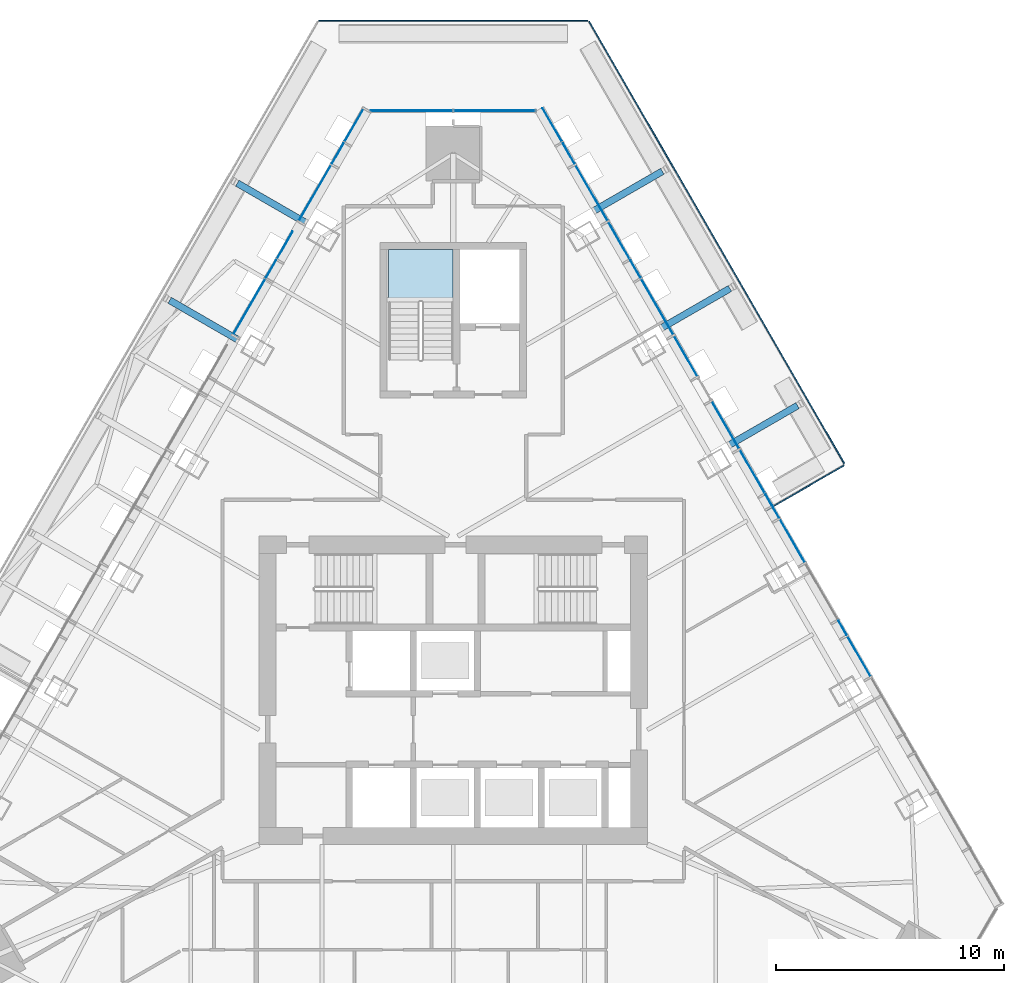
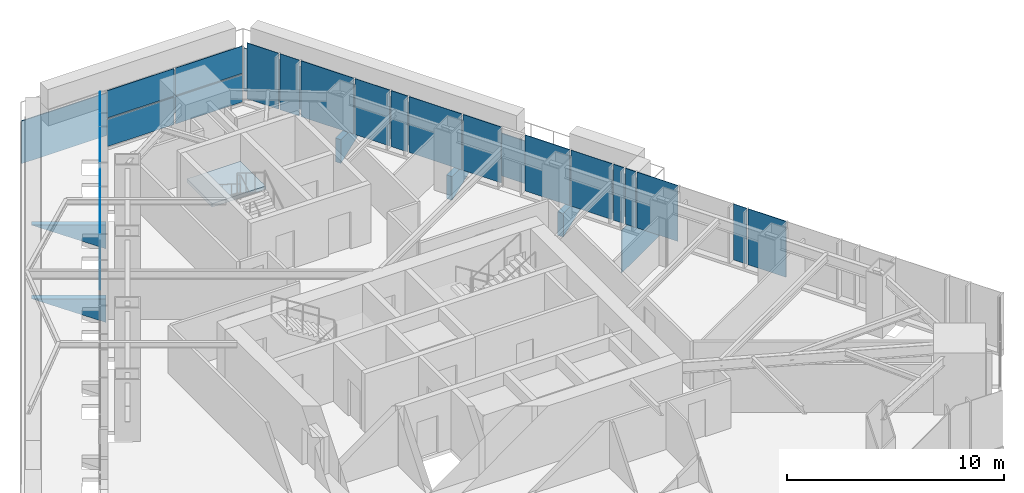
# One storey, part 9 of 16: 32 plates, 1 slab, 4 elements without a shape of their own.
"""IFC4 building model written with IfcOpenShell, lengths in metres."""

from ifc_helpers import new_model, si_unit, direction, frame, origin, place, context, subcontext, project, spatial, polyline, outline, extrude, material, layer, layer_set, type_object, element, aggregate, save


model = new_model("IFC4")

# Units and contexts
model_context = context("Model", 3, precision=1e-05, world=origin(), true_north=direction((0.0, 1.0)))
body_context = subcontext(model_context, "Body", "Model", "MODEL_VIEW")
ifc_project = project(units=[si_unit("LENGTHUNIT", "METRE"), si_unit("AREAUNIT", "SQUARE_METRE"), si_unit("VOLUMEUNIT", "CUBIC_METRE"), si_unit("PLANEANGLEUNIT", "RADIAN"), si_unit("MASSUNIT", "GRAM", prefix="KILO")], contexts=[model_context])

# Site, building, storey
site_placement = place(None, origin())
site = spatial("IfcSite", under=ifc_project, at=site_placement, CompositionType="ELEMENT")
building_placement = place(site_placement, origin())
building = spatial("IfcBuilding", under=site, at=building_placement, Name="Firuza Gate Tower and Library", CompositionType="ELEMENT")
storey_placement = place(building_placement, frame((0.0, 0.0, 319.60009765625)))
storey = spatial("IfcBuildingStorey", under=building, at=storey_placement, Name="L78", CompositionType="ELEMENT", Elevation=319.60009765625)

# Curtain wall, plates
ifc_material_1 = material(Name="Aluminium 6063-T6", Category="aluminium")
ifc_layer_1 = layer(ifc_material_1, 0.14990234375)
ifc_layer_set_1 = layer_set([ifc_layer_1], Name="Corner curtain wall, chamfers")
curtain_wall_type_1 = type_object("IfcCurtainWallType", Name="Corner curtain wall, chamfers", PredefinedType="NOTDEFINED", material=ifc_layer_set_1)
placement = place(storey_placement, origin())
curtain_wall_1 = element("IfcCurtainWall", 1, at=placement, inside=storey, type_object=curtain_wall_type_1, Name="CW4 L78 N corner", PredefinedType="NOTDEFINED")
ifc_material_2 = material(Name="Fritted glass", Category="glass")
ifc_layer_2 = layer(ifc_material_2, 0.030029296875)
ifc_layer_set_2 = layer_set([ifc_layer_2], Name="Fritted glass unit, corners")
plate_type_1 = type_object("IfcPlateType", Name="Fritted glass unit, corners", PredefinedType="CURTAIN_PANEL", material=ifc_layer_set_2)
plate_1_placement = place(storey_placement, frame((78.603271484375, 100.382568359375, 0.14990234375), z_axis=(0.0, 1.0, 0.0), x_axis=(-1.0, 0.0, 0.0)))
plate_1 = element("IfcPlate", 2, at=plate_1_placement, type_object=plate_type_1, Name="Glass unit", PredefinedType="CURTAIN_PANEL", context=body_context, shape_type="SweptSolid", body=[
    extrude(outline(polyline([(0.0, 0.0), (3.563232421875, 0.0), (3.563232421875, 1.534912109375), (0.0, 1.534912109375), (0.0, 0.0)])), origin(), (0.0, 0.0, -1.0), 0.030029296875),
])
plate_2_placement = place(storey_placement, frame((74.9599609375, 100.382568359375, 0.14990234375), z_axis=(0.0, 1.0, 0.0), x_axis=(-1.0, 0.0, 0.0)))
plate_2 = element("IfcPlate", 3, at=plate_2_placement, type_object=plate_type_1, Name="Glass unit", PredefinedType="CURTAIN_PANEL", context=body_context, shape_type="SweptSolid", body=[
    extrude(outline(polyline([(0.0, 0.0), (3.563232421875, 0.0), (3.563232421875, 1.534912109375), (0.0, 1.534912109375), (0.0, 0.0)])), origin(), (0.0, 0.0, -1.0), 0.030029296875),
])

ifc_material_3 = material(Name="Aluminium 6063-T6", Category="aluminium")
ifc_layer_3 = layer(ifc_material_3, 0.14990234375)
ifc_layer_set_3 = layer_set([ifc_layer_3], Name="Unitised curtain wall, residences")
curtain_wall_type_2 = type_object("IfcCurtainWallType", Name="Unitised curtain wall, residences", PredefinedType="NOTDEFINED", material=ifc_layer_set_3)
curtain_wall_2 = element("IfcCurtainWall", 4, at=placement, inside=storey, type_object=curtain_wall_type_2, Name="CW3 L78 E face", PredefinedType="NOTDEFINED")
ifc_material_4 = material(Name="Fritted glass", Category="glass")
ifc_layer_4 = layer(ifc_material_4, 0.030029296875)
ifc_layer_set_4 = layer_set([ifc_layer_4], Name="Fritted glass unit, residences")
plate_type_2 = type_object("IfcPlateType", Name="Fritted glass unit, residences", PredefinedType="CURTAIN_PANEL", material=ifc_layer_set_4)
plate_3_placement = place(storey_placement, frame((92.2333984375, 77.43896484375, 0.14990234375), z_axis=(0.866070766281, 0.499921421619, 0.0), x_axis=(-0.499921421619, 0.866070766281, 0.0)))
plate_3 = element("IfcPlate", 5, at=plate_3_placement, type_object=plate_type_2, Name="Glass unit", PredefinedType="CURTAIN_PANEL", context=body_context, shape_type="SweptSolid", body=[
    extrude(outline(polyline([(0.0, 0.0), (0.7081190982044061, 0.0), (0.7081190982044061, 3.14990234375), (0.0, 3.14990234375), (0.0, 0.0)])), origin(), (0.0, 0.0, -1.0), 0.030029296875),
])
plate_4_placement = place(storey_placement, frame((89.273193359375, 82.56591796875, 0.14990234375), z_axis=(0.865998869808, 0.500045955379, 0.0), x_axis=(-0.500045955379, 0.865998869808, 0.0)))
plate_4 = element("IfcPlate", 6, at=plate_4_placement, type_object=plate_type_2, Name="Glass unit", PredefinedType="CURTAIN_PANEL", context=body_context, shape_type="SweptSolid", body=[
    extrude(outline(polyline([(0.0, 0.0), (0.5443835590447377, 0.0), (0.5443835590447377, 3.14990234375), (0.0, 3.14990234375), (0.0, 0.0)])), origin(), (0.0, 0.0, -1.0), 0.030029296875),
])
plate_5_placement = place(storey_placement, frame((88.961181640625, 83.106689453125, 0.14990234375), z_axis=(0.865998869808, 0.500045955379, 0.0), x_axis=(-0.500045955379, 0.865998869808, 0.0)))
plate_5 = element("IfcPlate", 7, at=plate_5_placement, type_object=plate_type_2, Name="Glass unit", PredefinedType="CURTAIN_PANEL", context=body_context, shape_type="SweptSolid", body=[
    extrude(outline(polyline([(0.0, 0.0), (0.5443835590447377, 0.0), (0.5443835590447377, 3.14990234375), (0.0, 3.14990234375), (0.0, 0.0)])), origin(), (0.0, 0.0, -1.0), 0.030029296875),
])
plate_6_placement = place(storey_placement, frame((83.204833984375, 93.076904296875, 0.14990234375), z_axis=(0.865924374975, 0.500174946218, 0.0), x_axis=(-0.500174946218, 0.865924374975, 0.0)))
plate_6 = element("IfcPlate", 8, at=plate_6_placement, type_object=plate_type_2, Name="Glass unit", PredefinedType="CURTAIN_PANEL", context=body_context, shape_type="SweptSolid", body=[
    extrude(outline(polyline([(0.0, 0.0), (0.8717652884199234, 0.0), (0.8717652884199234, 3.14990234375), (0.0, 3.14990234375), (0.0, 0.0)])), origin(), (0.0, 0.0, -1.0), 0.030029296875),
])
plate_7_placement = place(storey_placement, frame((80.326416015625, 98.06201171875, 0.14990234375), z_axis=(0.866087429067, 0.499892553668, 0.0), x_axis=(-0.499892553668, 0.866087429067, 0.0)))
plate_7 = element("IfcPlate", 9, at=plate_7_placement, type_object=plate_type_2, Name="Glass unit", PredefinedType="CURTAIN_PANEL", context=body_context, shape_type="SweptSolid", body=[
    extrude(outline(polyline([(0.0, 0.0), (1.0353787452973582, 0.0), (1.0353787452973582, 3.14990234375), (0.0, 3.14990234375), (0.0, 0.0)])), origin(), (0.0, 0.0, -1.0), 0.030029296875),
])

curtain_wall_3 = element("IfcCurtainWall", 10, at=placement, inside=storey, type_object=curtain_wall_type_2, Name="CW3 L78 W face", PredefinedType="NOTDEFINED")
plate_8_placement = place(storey_placement, frame((70.191162109375, 98.958740234375, 0.14990234375), z_axis=(-0.866087429067, 0.499892553668, 0.0), x_axis=(-0.499892553668, -0.866087429067, 0.0)))
plate_8 = element("IfcPlate", 11, at=plate_8_placement, type_object=plate_type_2, Name="Glass unit", PredefinedType="CURTAIN_PANEL", context=body_context, shape_type="SweptSolid", body=[
    extrude(outline(polyline([(0.0, 0.0), (1.0353787452973582, 0.0), (1.0353787452973582, 3.14990234375), (0.0, 3.14990234375), (0.0, 0.0)])), origin(), (0.0, 0.0, -1.0), 0.030029296875),
])
plate_9_placement = place(storey_placement, frame((67.231201171875, 93.831787109375, 0.14990234375), z_axis=(-0.865924374975, 0.500174946218, 0.0), x_axis=(-0.500174946218, -0.865924374975, 0.0)))
plate_9 = element("IfcPlate", 12, at=plate_9_placement, type_object=plate_type_2, Name="Glass unit", PredefinedType="CURTAIN_PANEL", context=body_context, shape_type="SweptSolid", body=[
    extrude(outline(polyline([(0.0, 0.0), (0.8717652884199234, 0.0), (0.8717652884199234, 3.14990234375), (0.0, 3.14990234375), (0.0, 0.0)])), origin(), (0.0, 0.0, -1.0), 0.030029296875),
])

# Plate
ifc_material_5 = material(Name="Glazed ceramic tile")
ifc_layer_5 = layer(ifc_material_5, 0.030029296875)
ifc_layer_set_5 = layer_set([ifc_layer_5], Name="Opaque ceramic panel, corners")
plate_type_3 = type_object("IfcPlateType", Name="Opaque ceramic panel, corners", PredefinedType="CURTAIN_PANEL", material=ifc_layer_set_5)
plate_10_placement = place(storey_placement, frame((78.603271484375, 100.382568359375, 1.764892578125), z_axis=(0.0, 1.0, 0.0), x_axis=(-1.0, 0.0, 0.0)))
plate_10 = element("IfcPlate", 13, at=plate_10_placement, type_object=plate_type_3, Name="Opaque ceramic panel", PredefinedType="CURTAIN_PANEL", context=body_context, shape_type="SweptSolid", body=[
    extrude(outline(polyline([(0.0, 0.0), (3.563232421875, 0.0), (3.563232421875, 1.534912109375), (0.0, 1.534912109375), (0.0, 0.0)])), origin(), (0.0, 0.0, -1.0), 0.030029296875),
])

plate_11_placement = place(storey_placement, frame((74.9599609375, 100.382568359375, 1.764892578125), z_axis=(0.0, 1.0, 0.0), x_axis=(-1.0, 0.0, 0.0)))
plate_11 = element("IfcPlate", 14, at=plate_11_placement, type_object=plate_type_3, Name="Opaque ceramic panel", PredefinedType="CURTAIN_PANEL", context=body_context, shape_type="SweptSolid", body=[
    extrude(outline(polyline([(0.0, 0.0), (3.563232421875, 0.0), (3.563232421875, 1.534912109375), (0.0, 1.534912109375), (0.0, 0.0)])), origin(), (0.0, 0.0, -1.0), 0.030029296875),
])

aggregate(curtain_wall_1, [plate_1, plate_10, plate_2, plate_11])

ifc_material_6 = material(Name="Glazed ceramic tile")
ifc_layer_6 = layer(ifc_material_6, 0.030029296875)
ifc_layer_set_6 = layer_set([ifc_layer_6], Name="Opaque ceramic panel, residences")
plate_type_4 = type_object("IfcPlateType", Name="Opaque ceramic panel, residences", PredefinedType="CURTAIN_PANEL", material=ifc_layer_set_6)
plate_12_placement = place(storey_placement, frame((93.2783203125, 75.62890625, 0.14990234375), z_axis=(0.865999496279, 0.500044870432, 0.0), x_axis=(-0.500044870432, 0.865999496279, 0.0)))
plate_12 = element("IfcPlate", 15, at=plate_12_placement, type_object=plate_type_4, Name="Opaque ceramic panel", PredefinedType="CURTAIN_PANEL", context=body_context, shape_type="SweptSolid", body=[
    extrude(outline(polyline([(0.0, 0.0), (2.010073520516203, 0.0), (2.010073520516203, 3.14990234375), (0.0, 3.14990234375), (0.0, 0.0)])), origin(), (0.0, 0.0, -1.0), 0.030029296875),
])

plate_13_placement = place(storey_placement, frame((90.400146484375, 80.614013671875, 0.14990234375), z_axis=(0.866022871314, 0.500004386343, 0.0), x_axis=(-0.500004386343, 0.866022871314, 0.0)))
plate_13 = element("IfcPlate", 16, at=plate_13_placement, type_object=plate_type_4, Name="Opaque ceramic panel", PredefinedType="CURTAIN_PANEL", context=body_context, shape_type="SweptSolid", body=[
    extrude(outline(polyline([(0.0, 0.0), (2.1738090548574256, 0.0), (2.1738090548574256, 3.14990234375), (0.0, 3.14990234375), (0.0, 0.0)])), origin(), (0.0, 0.0, -1.0), 0.030029296875),
])

plate_14_placement = place(storey_placement, frame((88.64892578125, 83.6474609375, 0.14990234375), z_axis=(0.866022871314, 0.500004386343, 0.0), x_axis=(-0.500004386343, 0.866022871314, 0.0)))
plate_14 = element("IfcPlate", 17, at=plate_14_placement, type_object=plate_type_4, Name="Opaque ceramic panel", PredefinedType="CURTAIN_PANEL", context=body_context, shape_type="SweptSolid", body=[
    extrude(outline(polyline([(0.0, 0.0), (2.1738090548574256, 0.0), (2.1738090548574256, 3.14990234375), (0.0, 3.14990234375), (0.0, 0.0)])), origin(), (0.0, 0.0, -1.0), 0.030029296875),
])

plate_15_placement = place(storey_placement, frame((87.52197265625, 85.59912109375, 0.14990234375), z_axis=(0.866015756104, 0.5000167099, 0.0), x_axis=(-0.5000167099, 0.866015756104, 0.0)))
plate_15 = element("IfcPlate", 18, at=plate_15_placement, type_object=plate_type_4, Name="Opaque ceramic panel", PredefinedType="CURTAIN_PANEL", context=body_context, shape_type="SweptSolid", body=[
    extrude(outline(polyline([(0.0, 0.0), (2.3700379813044075, 0.0), (2.3700379813044075, 3.14990234375), (0.0, 3.14990234375), (0.0, 0.0)])), origin(), (0.0, 0.0, -1.0), 0.030029296875),
])

plate_16_placement = place(storey_placement, frame((85.697021484375, 88.76025390625, 0.14990234375), z_axis=(0.866025076934, 0.500000566121, 0.0), x_axis=(-0.500000566121, 0.866025076934, 0.0)))
plate_16 = element("IfcPlate", 19, at=plate_16_placement, type_object=plate_type_4, Name="Opaque ceramic panel", PredefinedType="CURTAIN_PANEL", context=body_context, shape_type="SweptSolid", body=[
    extrude(outline(polyline([(0.0, 0.0), (2.026364893165117, 0.0), (2.026364893165117, 3.14990234375), (0.0, 3.14990234375), (0.0, 0.0)])), origin(), (0.0, 0.0, -1.0), 0.030029296875),
])

plate_17_placement = place(storey_placement, frame((84.643798828125, 90.58447265625, 0.14990234375), z_axis=(0.865995230276, 0.500052258409, 0.0), x_axis=(-0.500052258409, 0.865995230276, 0.0)))
plate_17 = element("IfcPlate", 20, at=plate_17_placement, type_object=plate_type_4, Name="Opaque ceramic panel", PredefinedType="CURTAIN_PANEL", context=body_context, shape_type="SweptSolid", body=[
    extrude(outline(polyline([(0.0, 0.0), (2.798047400739046, 0.0), (2.798047400739046, 3.14990234375), (0.0, 3.14990234375), (0.0, 0.0)])), origin(), (0.0, 0.0, -1.0), 0.030029296875),
])

plate_18_placement = place(storey_placement, frame((82.728759765625, 93.901123046875, 0.14990234375), z_axis=(0.866062288296, 0.499936108709, 0.0), x_axis=(-0.499936108709, 0.866062288296, 0.0)))
plate_18 = element("IfcPlate", 21, at=plate_18_placement, type_object=plate_type_4, Name="Opaque ceramic panel", PredefinedType="CURTAIN_PANEL", context=body_context, shape_type="SweptSolid", body=[
    extrude(outline(polyline([(0.0, 0.0), (1.8464273475022068, 0.0), (1.8464273475022068, 3.149902343750001), (0.0, 3.149902343750001), (0.0, 0.0)])), origin(), (0.0, 0.0, -1.0), 0.030029296875),
])

plate_19_placement = place(storey_placement, frame((81.765625, 95.569580078125, 0.14990234375), z_axis=(0.866017045845, 0.500014476097, 0.0), x_axis=(-0.500014476097, 0.866017045845, 0.0)))
plate_19 = element("IfcPlate", 22, at=plate_19_placement, type_object=plate_type_4, Name="Opaque ceramic panel", PredefinedType="CURTAIN_PANEL", context=body_context, shape_type="SweptSolid", body=[
    extrude(outline(polyline([(0.0, 0.0), (2.7982588280189464, 0.0), (2.7982588280189464, 3.14990234375), (0.0, 3.14990234375), (0.0, 0.0)])), origin(), (0.0, 0.0, -1.0), 0.030029296875),
])

plate_20_placement = place(storey_placement, frame((79.768798828125, 99.028076171875, 0.14990234375), z_axis=(0.866038204628, 0.499977827634, 0.0), x_axis=(-0.499977827634, 0.866038204628, 0.0)))
plate_20 = element("IfcPlate", 23, at=plate_20_placement, type_object=plate_type_4, Name="Opaque ceramic panel", PredefinedType="CURTAIN_PANEL", context=body_context, shape_type="SweptSolid", body=[
    extrude(outline(polyline([(0.0, 0.0), (1.6826918060176228, 0.0), (1.6826918060176228, 3.14990234375), (0.0, 3.14990234375), (0.0, 0.0)])), origin(), (0.0, 0.0, -1.0), 0.030029296875),
])

aggregate(curtain_wall_2, [plate_12, plate_3, plate_13, plate_4, plate_5, plate_14, plate_15, plate_16, plate_17, plate_6, plate_18, plate_19, plate_7, plate_20])

plate_21_placement = place(storey_placement, frame((71.072509765625, 100.4853515625, 0.14990234375), z_axis=(-0.866038204628, 0.499977827634, 0.0), x_axis=(-0.499977827634, -0.866038204628, 0.0)))
plate_21 = element("IfcPlate", 24, at=plate_21_placement, type_object=plate_type_4, Name="Opaque ceramic panel", PredefinedType="CURTAIN_PANEL", context=body_context, shape_type="SweptSolid", body=[
    extrude(outline(polyline([(0.0, 0.0), (1.6826918060176228, 0.0), (1.6826918060176228, 3.14990234375), (0.0, 3.14990234375), (0.0, 0.0)])), origin(), (0.0, 0.0, -1.0), 0.030029296875),
])

plate_22_placement = place(storey_placement, frame((69.633544921875, 97.992919921875, 0.14990234375), z_axis=(-0.866017045845, 0.500014476097, 0.0), x_axis=(-0.500014476097, -0.866017045845, 0.0)))
plate_22 = element("IfcPlate", 25, at=plate_22_placement, type_object=plate_type_4, Name="Opaque ceramic panel", PredefinedType="CURTAIN_PANEL", context=body_context, shape_type="SweptSolid", body=[
    extrude(outline(polyline([(0.0, 0.0), (2.7982588280189464, 0.0), (2.7982588280189464, 3.14990234375), (0.0, 3.14990234375), (0.0, 0.0)])), origin(), (0.0, 0.0, -1.0), 0.030029296875),
])

plate_23_placement = place(storey_placement, frame((67.955322265625, 95.08642578125, 0.14990234375), z_axis=(-0.866105386462, 0.499861440343, 0.0), x_axis=(-0.499861440343, -0.866105386462, 0.0)))
plate_23 = element("IfcPlate", 26, at=plate_23_placement, type_object=plate_type_4, Name="Opaque ceramic panel", PredefinedType="CURTAIN_PANEL", context=body_context, shape_type="SweptSolid", body=[
    extrude(outline(polyline([(0.0, 0.0), (1.3685433122835309, 0.0), (1.3685433122835309, 3.14990234375), (0.0, 3.14990234375), (0.0, 0.0)])), origin(), (0.0, 0.0, -1.0), 0.030029296875),
])

plate_24_placement = place(storey_placement, frame((66.75537109375, 93.007568359375, 0.14990234375), z_axis=(-0.865995230276, 0.500052258409, 0.0), x_axis=(-0.500052258409, -0.865995230276, 0.0)))
plate_24 = element("IfcPlate", 27, at=plate_24_placement, type_object=plate_type_4, Name="Opaque ceramic panel", PredefinedType="CURTAIN_PANEL", context=body_context, shape_type="SweptSolid", body=[
    extrude(outline(polyline([(0.0, 0.0), (2.798047400739046, 0.0), (2.798047400739046, 3.14990234375), (0.0, 3.14990234375), (0.0, 0.0)])), origin(), (0.0, 0.0, -1.0), 0.030029296875),
])

aggregate(curtain_wall_3, [plate_21, plate_8, plate_22, plate_23, plate_9, plate_24])

# Stair, slab
ifc_material_7 = material(Name="Concrete C35/45", Category="concrete")
stair_type = type_object("IfcStairType", Name="Exit stair ST17", PredefinedType="HALF_TURN_STAIR", material=ifc_material_7)
stair = element("IfcStair", 28, at=placement, inside=storey, type_object=stair_type, Name="L78 Stair ST3", PredefinedType="HALF_TURN_STAIR")
ifc_material_8 = material(Name="Concrete C35/45", Category="concrete")
ifc_layer_7 = layer(ifc_material_8, 0.199951171875)
ifc_layer_set_7 = layer_set([ifc_layer_7], Name="Stair landing 200")
slab_type = type_object("IfcSlabType", Name="Stair landing 200", PredefinedType="LANDING", material=ifc_layer_set_7)
slab_placement = place(storey_placement, frame((0.0, 0.0, 1.5498046875)))
slab = element("IfcSlab", 29, at=slab_placement, type_object=slab_type, Name="ST3 landing 1", PredefinedType="LANDING", context=body_context, shape_type="SweptSolid", body=[
    extrude(outline(polyline([(75.0, 91.989990234375), (75.0, 94.300048828125), (72.159912109375, 94.300048828125), (72.159912109375, 91.989990234375), (75.0, 91.989990234375)])), origin(), (0.0, 0.0, 1.0), 0.2001953125),
])
aggregate(stair, [slab])

# Plates
ifc_material_9 = material(Name="Steel S355", Category="steel")
ifc_layer_8 = layer(ifc_material_9, 0.300048828125)
ifc_layer_set_8 = layer_set([ifc_layer_8], Name="Tray bracket web 300 Steel S355")
plate_type_5 = type_object("IfcPlateType", Name="Tray bracket web 300 Steel S355", PredefinedType="SHEET", material=ifc_layer_set_8)
plate_25_placement = place(storey_placement, frame((87.02587890625, 85.881103515625, -0.2001953125), z_axis=(-0.499784085482, 0.866150026207, 0.0), x_axis=(0.866150026207, 0.499784085482, 0.0)))
element("IfcPlate", 30, at=plate_25_placement, inside=storey, type_object=plate_type_5, Name="Tray bracket web L78 col:L77:E4", PredefinedType="SHEET", context=body_context, shape_type="SweptSolid", body=[
    extrude(outline(polyline([(0.0, 0.0), (3.4292152096976936, 0.0), (0.0, 1.333984375), (0.0, 0.0)])), origin(), (0.0, 0.0, -1.0), 0.300048828125),
])
plate_26_placement = place(storey_placement, frame((84.06591796875, 91.007080078125, -0.2001953125), z_axis=(-0.500028509433, 0.86600894323, 0.0), x_axis=(0.86600894323, 0.500028509433, 0.0)))
element("IfcPlate", 31, at=plate_26_placement, inside=storey, type_object=plate_type_5, Name="Tray bracket web L78 col:L77:E5", PredefinedType="SHEET", context=body_context, shape_type="SweptSolid", body=[
    extrude(outline(polyline([(0.0, 0.0), (3.4294919542601163, 0.0), (0.0, 1.333984375), (0.0, 0.0)])), origin(), (0.0, 0.0, -1.0), 0.300048828125),
])
plate_27_placement = place(storey_placement, frame((81.10595703125, 96.134033203125, -0.2001953125), z_axis=(-0.500081895979, 0.865978115955, 0.0), x_axis=(0.865978115955, 0.500081895979, 0.0)))
element("IfcPlate", 32, at=plate_27_placement, inside=storey, type_object=plate_type_5, Name="Tray bracket web L78 col:L77:E6", PredefinedType="SHEET", context=body_context, shape_type="SweptSolid", body=[
    extrude(outline(polyline([(0.0, 0.0), (3.429614038049955, 0.0), (0.0, 1.333984375), (0.0, 0.0)])), origin(), (0.0, 0.0, -1.0), 0.300048828125),
])
plate_28_placement = place(storey_placement, frame((68.444091796875, 95.35498046875, -0.2001953125), z_axis=(-0.499868315584, -0.86610141847, 0.0), x_axis=(-0.86610141847, 0.499868315584, 0.0)))
element("IfcPlate", 33, at=plate_28_placement, inside=storey, type_object=plate_type_5, Name="Tray bracket web L78 col:L77:W1", PredefinedType="SHEET", context=body_context, shape_type="SweptSolid", body=[
    extrude(outline(polyline([(0.0, 0.0), (3.4291257811032914, 0.0), (0.0, 1.333984375), (0.0, 0.0)])), origin(), (0.0, 0.0, -1.0), 0.300048828125),
])
plate_29_placement = place(storey_placement, frame((65.48388671875, 90.22802734375, -0.2001953125), z_axis=(-0.500081895979, -0.865978115955, 0.0), x_axis=(-0.865978115955, 0.500081895979, 0.0)))
element("IfcPlate", 34, at=plate_29_placement, inside=storey, type_object=plate_type_5, Name="Tray bracket web L78 col:L77:W2", PredefinedType="SHEET", context=body_context, shape_type="SweptSolid", body=[
    extrude(outline(polyline([(0.0, 0.0), (3.429614038049955, 0.0), (0.0, 1.333984375), (0.0, 0.0)])), origin(), (0.0, 0.0, -1.0), 0.300048828125),
])
ifc_material_10 = material(Name="Aluminium 6063-T6", Category="aluminium")
ifc_layer_9 = layer(ifc_material_10, 0.050048828125)
ifc_layer_set_9 = layer_set([ifc_layer_9], Name="Tray fascia panel 50")
plate_type_6 = type_object("IfcPlateType", Name="Tray fascia panel 50", PredefinedType="SHEET", material=ifc_layer_set_9)
plate_30_placement = place(storey_placement, frame((92.14404296875, 84.93310546875, -2.400146484375), z_axis=(0.866041540945, 0.499972048577, 0.0), x_axis=(-0.499972048577, 0.866041540945, 0.0)))
element("IfcPlate", 35, at=plate_30_placement, inside=storey, type_object=plate_type_6, Name="Tray fascia L78 1", PredefinedType="SHEET", context=body_context, shape_type="SweptSolid", body=[
    extrude(outline(polyline([(0.0, 0.0), (22.353300394377783, 0.0), (22.353300394377783, 2.400146484375), (0.0, 2.400146484375), (0.0, 0.0)])), origin(), (0.0, 0.0, -1.0), 0.050048828125),
])
plate_31_placement = place(storey_placement, frame((80.87890625, 104.343017578125, -2.400146484375), z_axis=(0.0, 1.0, 0.0), x_axis=(-1.0, 0.0, 0.0)))
element("IfcPlate", 36, at=plate_31_placement, inside=storey, type_object=plate_type_6, Name="Tray fascia L78 2", PredefinedType="SHEET", context=body_context, shape_type="SweptSolid", body=[
    extrude(outline(polyline([(0.0, 0.0), (11.7578125, 0.0), (11.7578125, 2.400146484375), (0.0, 2.400146484375), (0.0, 0.0)])), origin(), (0.0, 0.0, -1.0), 0.050048828125),
])
plate_32_placement = place(storey_placement, frame((88.702880859375, 82.85400390625, -2.400146484375), z_axis=(0.49999779889, -0.866026674592, 0.0), x_axis=(0.866026674592, 0.49999779889, 0.0)))
element("IfcPlate", 37, at=plate_32_placement, inside=storey, type_object=plate_type_6, Name="Tray fascia L78 8", PredefinedType="SHEET", context=body_context, shape_type="SweptSolid", body=[
    extrude(outline(polyline([(0.0, 0.0), (3.9399587508162695, 0.0), (3.9399587508162695, 2.400146484375), (0.0, 2.400146484375), (0.0, 0.0)])), origin(), (0.0, 0.0, -1.0), 0.050048828125),
])

save(model, "model.ifc")
